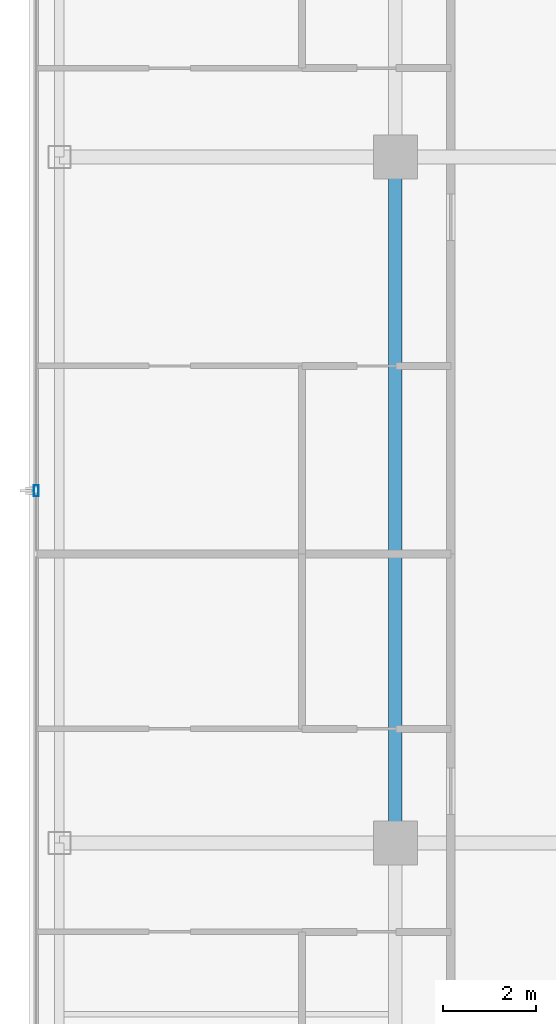
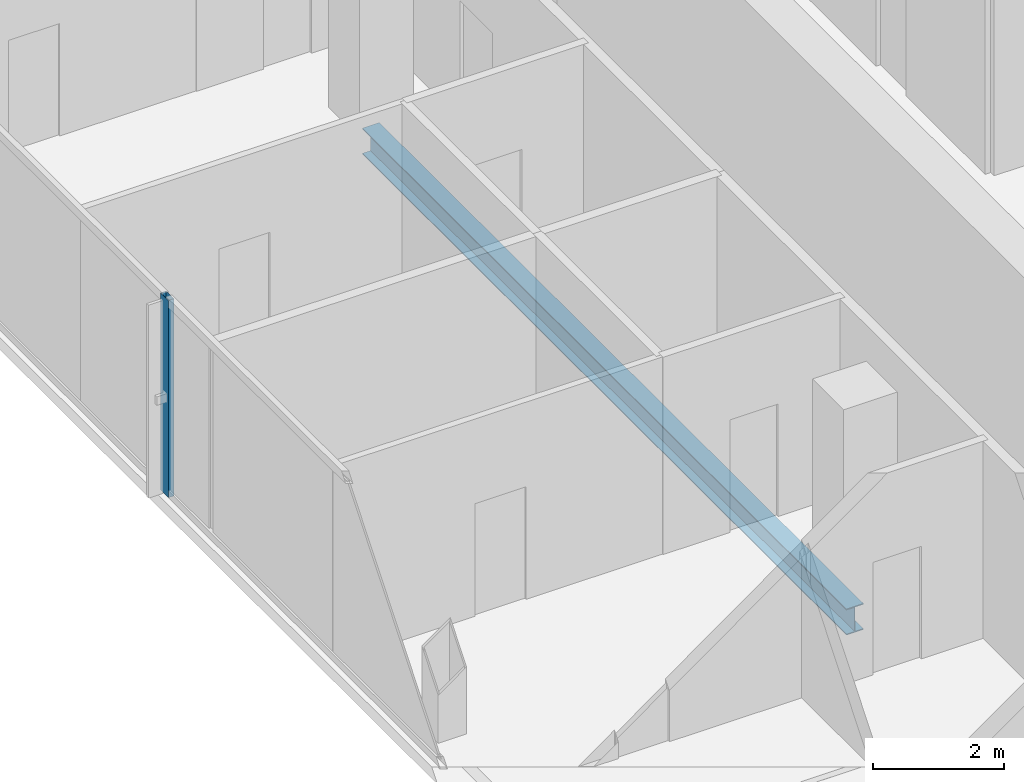
# One storey, part 6 of 26: 1 beam, 1 member, 1 element without a shape of its own.
"""IFC4 building model written with IfcOpenShell, lengths in metres."""

from ifc_helpers import new_model, si_unit, direction, frame, origin, origin_2d, place, context, subcontext, project, spatial, hollow_rectangle, i_section, extrude, material, layer, layer_set, material_profile, profile_set, type_object, element, aggregate, save


model = new_model("IFC4")

# Units and contexts
model_context = context("Model", 3, precision=1e-05, world=origin(), true_north=direction((0.0, 1.0)))
body_context = subcontext(model_context, "Body", "Model", "MODEL_VIEW")
ifc_project = project(units=[si_unit("LENGTHUNIT", "METRE"), si_unit("AREAUNIT", "SQUARE_METRE"), si_unit("VOLUMEUNIT", "CUBIC_METRE"), si_unit("PLANEANGLEUNIT", "RADIAN"), si_unit("MASSUNIT", "GRAM", prefix="KILO")], contexts=[model_context])

# Site, building, storey
site_placement = place(None, origin())
site = spatial("IfcSite", under=ifc_project, at=site_placement, CompositionType="ELEMENT")
building_placement = place(site_placement, origin())
building = spatial("IfcBuilding", under=site, at=building_placement, Name="Khorvyn Point Tower", CompositionType="ELEMENT")
storey_placement = place(building_placement, frame((0.0, 0.0, 289.800048828125)))
storey = spatial("IfcBuildingStorey", under=building, at=storey_placement, Name="L71", CompositionType="ELEMENT", Elevation=289.800048828125)

# Curtain wall, member
ifc_material_1 = material(Name="Anodised aluminium 6063-T6 and laminated Low-E glass", Category="aluminium")
ifc_layer = layer(ifc_material_1, 0.18994140625)
ifc_layer_set = layer_set([ifc_layer], Name="Stick-Built High-Wind Curtain Wall CW-SYS-04")
curtain_wall_type = type_object("IfcCurtainWallType", Name="Stick-Built High-Wind Curtain Wall CW-SYS-04", PredefinedType="NOTDEFINED", material=ifc_layer_set)
curtain_wall_placement = place(storey_placement, origin())
curtain_wall = element("IfcCurtainWall", 1, at=curtain_wall_placement, inside=storey, type_object=curtain_wall_type, Name="Curtain Wall", PredefinedType="NOTDEFINED")
ifc_material_2 = material(Name="Anodised aluminium 6063-T6", Category="aluminium")
ifc_material_profile_1 = material_profile(ifc_material_2, hollow_rectangle(XDim=0.10009765625, YDim=0.239990234375, WallThickness=0.0048828125, at=origin_2d()))
ifc_profile_set_1 = profile_set([ifc_material_profile_1], Name="Anodised aluminium 6063-T6 ALU-MUL-100x240")
member_type = type_object("IfcMemberType", Name="Anodised Aluminium 6063-T6 Mullion ALU-MUL-100x240", PredefinedType="MULLION", material=ifc_profile_set_1)
member_placement = place(storey_placement, frame((-22.550048828125, 0.199951171875, 0.0), z_axis=(0.0, 0.0, 1.0), x_axis=(-1.0, 0.0, 0.0)))
member = element("IfcMember", 2, at=member_placement, type_object=member_type, Name="Transom", PredefinedType="MULLION", context=body_context, shape_type="SweptSolid", body=[
    extrude(hollow_rectangle(XDim=0.10009765625, YDim=0.239990234375, WallThickness=0.0048828125, at=origin_2d()), origin(), (0.0, 0.0, 1.0), 3.679931640625),
])
aggregate(curtain_wall, [member])

# Beam
ifc_material_3 = material(Name="Steel S355", Category="steel")
ifc_material_profile_2 = material_profile(ifc_material_3, i_section(OverallWidth=0.300048828125, OverallDepth=0.488037109375, WebThickness=0.010986328125, FlangeThickness=0.01806640625, at=origin_2d()))
ifc_profile_set_2 = profile_set([ifc_material_profile_2], Name="Steel S355 H488x300x11x18")
beam_type = type_object("IfcBeamType", Name="Steel S355 Spandrel H488x300x11x18", PredefinedType="SPANDREL", material=ifc_profile_set_2)
beam_placement = place(storey_placement, frame((-14.800048828125, -7.39990234375, -0.464111328125), z_axis=(0.0, 1.0, 0.0), x_axis=(-1.0, 0.0, 0.0)))
element("IfcBeam", 3, at=beam_placement, inside=storey, type_object=beam_type, Name="Beam", PredefinedType="SPANDREL", context=body_context, shape_type="SweptSolid", body=[
    extrude(i_section(OverallWidth=0.300048828125, OverallDepth=0.488037109375, WebThickness=0.010986328125, FlangeThickness=0.01806640625, at=origin_2d()), origin(), (0.0, 0.0, 1.0), 14.7998046875),
])

save(model, "model.ifc")
